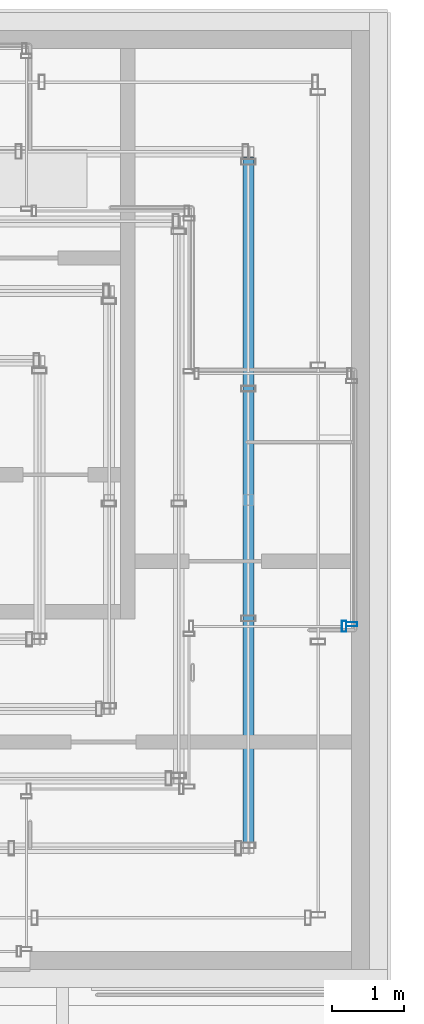
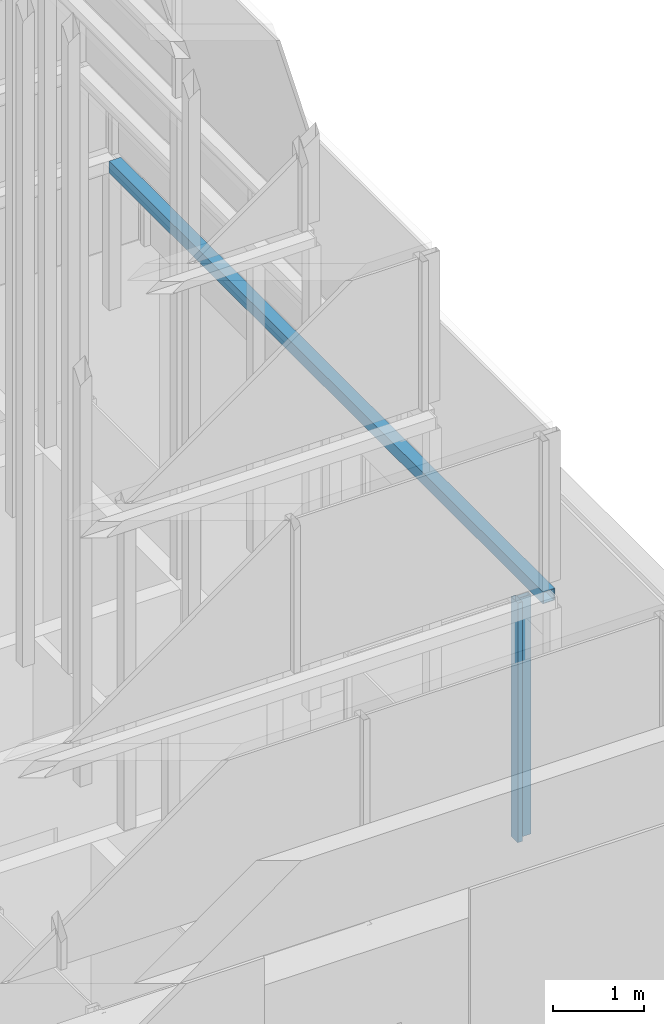
# One storey, part 43 of 62: 2 members, 1 beam, 2 elements without a shape of their own.
"""IFC4 building model written with IfcOpenShell, lengths in metres."""

from ifc_helpers import new_model, si_unit, direction, frame, origin, origin_2d, place, context, subcontext, project, spatial, hollow_rectangle, extrude, material, material_profile, profile_set, type_object, element, aggregate, save


model = new_model("IFC4")

# Units and contexts
model_context = context("Model", 3, precision=1e-05, world=origin(), true_north=direction((0.0, 1.0)))
body_context = subcontext(model_context, "Body", "Model", "MODEL_VIEW")
ifc_project = project(units=[si_unit("LENGTHUNIT", "METRE"), si_unit("AREAUNIT", "SQUARE_METRE"), si_unit("VOLUMEUNIT", "CUBIC_METRE"), si_unit("PLANEANGLEUNIT", "RADIAN"), si_unit("MASSUNIT", "GRAM", prefix="KILO")], contexts=[model_context])

# Site, building, storey
site_placement = place(None, origin())
site = spatial("IfcSite", under=ifc_project, at=site_placement, CompositionType="ELEMENT")
building_placement = place(site_placement, origin())
building = spatial("IfcBuilding", under=site, at=building_placement, Name="Altepetl Exchange Towers", CompositionType="ELEMENT")
storey_placement = place(building_placement, frame((0.0, 0.0, 210.0)))
storey = spatial("IfcBuildingStorey", under=building, at=storey_placement, Name="L53", CompositionType="ELEMENT", Elevation=210.0)

# Beam
ifc_material_1 = material(Name="Steel S355", Category="steel")
ifc_material_profile_1 = material_profile(ifc_material_1, hollow_rectangle(XDim=0.14990234375, YDim=0.159912109375, WallThickness=0.008056640625, at=origin_2d()), Name="RHS 160x150x8")
ifc_profile_set_1 = profile_set([ifc_material_profile_1], Name="Steel S355")
beam_type = type_object("IfcBeamType", Name="Crown ring beam hollow section 150x160x8", PredefinedType="BEAM", material=ifc_profile_set_1)
beam_placement = place(storey_placement, frame((115.071533203125, 38.003662109375, 5.52001953125), z_axis=(0.0, 1.0, 0.0), x_axis=(-1.0, 0.0, 0.0)))
element("IfcBeam", 1, at=beam_placement, inside=storey, type_object=beam_type, Name="Crown ring beam", PredefinedType="BEAM", context=body_context, shape_type="SweptSolid", body=[
    extrude(hollow_rectangle(XDim=0.14990234375, YDim=0.159912109375, WallThickness=0.008056640625, at=origin_2d()), origin(), (0.0, 0.0, 1.0), 9.49267578125),
])

# Curtain wall, member
ifc_material_2 = material(Name="Aluminium 6063-T6 glazing", Category="aluminium")
curtain_wall_type = type_object("IfcCurtainWallType", Name="Loggia glazing system", PredefinedType="NOTDEFINED", material=ifc_material_2)
curtain_wall_1_placement = place(storey_placement, origin())
curtain_wall_1 = element("IfcCurtainWall", 2, at=curtain_wall_1_placement, inside=storey, type_object=curtain_wall_type, Name="CW1 run", PredefinedType="NOTDEFINED")
ifc_material_3 = material(Name="Aluminium 6063-T6", Category="aluminium")
ifc_material_profile_2 = material_profile(ifc_material_3, hollow_rectangle(XDim=0.06005859375, YDim=0.14990234375, WallThickness=0.0029296875, at=origin_2d()), Name="Mullion 60x150 aluminium")
ifc_profile_set_2 = profile_set([ifc_material_profile_2], Name="Aluminium 6063-T6")
member_type = type_object("IfcMemberType", Name="Mullion 60x150 aluminium", PredefinedType="MULLION", material=ifc_profile_set_2)
member_1_placement = place(storey_placement, frame((116.5, 41.030029296875, 0.0), z_axis=(0.0, 0.0, 1.0), x_axis=(0.0, 1.0, 0.0)))
member_1 = element("IfcMember", 3, at=member_1_placement, type_object=member_type, Name="MU1 mullion", PredefinedType="MULLION", context=body_context, shape_type="SweptSolid", body=[
    extrude(hollow_rectangle(XDim=0.06005859375, YDim=0.14990234375, WallThickness=0.0029296875, at=origin_2d()), origin(), (0.0, 0.0, 1.0), 3.199951171875),
])
aggregate(curtain_wall_1, [member_1])

curtain_wall_2_placement = place(storey_placement, origin())
curtain_wall_2 = element("IfcCurtainWall", 4, at=curtain_wall_2_placement, inside=storey, type_object=curtain_wall_type, Name="CW1 run", PredefinedType="NOTDEFINED")
member_2_placement = place(storey_placement, frame((116.39501953125, 41.0, 0.0)))
member_2 = element("IfcMember", 5, at=member_2_placement, type_object=member_type, Name="MU1 mullion", PredefinedType="MULLION", context=body_context, shape_type="SweptSolid", body=[
    extrude(hollow_rectangle(XDim=0.06005859375, YDim=0.14990234375, WallThickness=0.0029296875, at=origin_2d()), origin(), (0.0, 0.0, 1.0), 3.199951171875),
])
aggregate(curtain_wall_2, [member_2])

save(model, "model.ifc")
